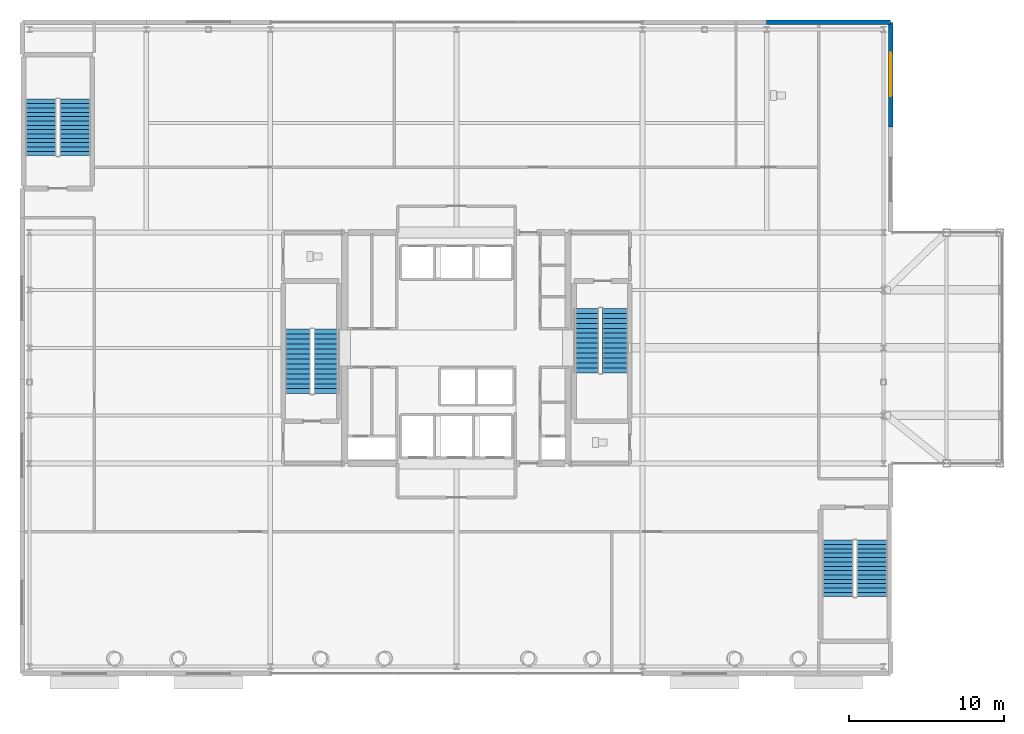
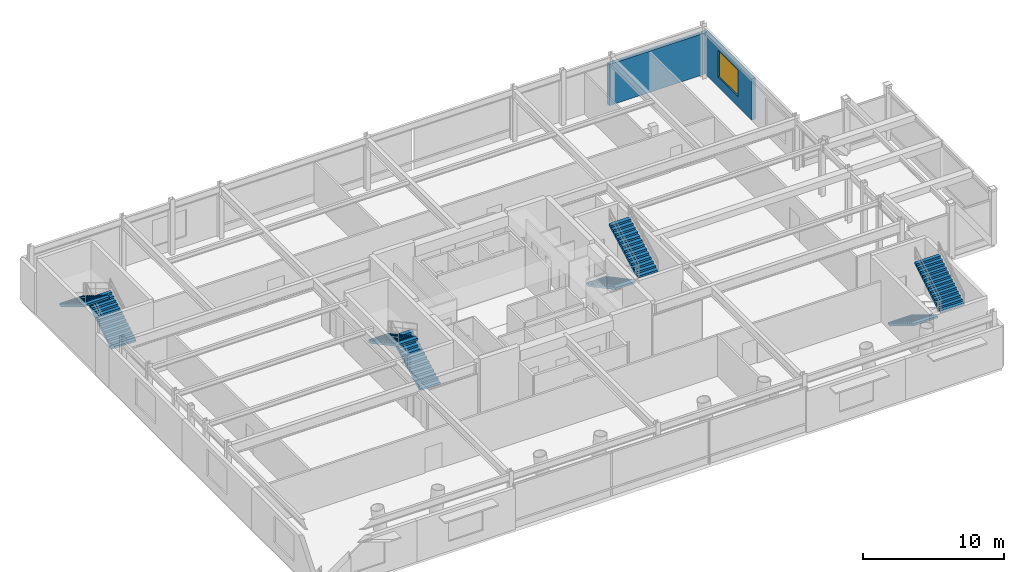
# One storey, part 22 of 26: 8 stair flights, 2 walls, 1 window, 1 opening, 4 elements without a shape of their own.
"""IFC4 building model written with IfcOpenShell, lengths in metres."""

from ifc_helpers import new_model, si_unit, direction, frame, frame_2d, origin, place, context, subcontext, project, spatial, polyline, rectangle, outline, extrude, material, layer, layer_set, type_object, element, fill, aggregate, save


model = new_model("IFC4")

# Units and contexts
model_context = context("Model", 3, precision=1e-05, world=origin(), true_north=direction((0.0, 1.0)))
body_context = subcontext(model_context, "Body", "Model", "MODEL_VIEW")
ifc_project = project(units=[si_unit("LENGTHUNIT", "METRE"), si_unit("AREAUNIT", "SQUARE_METRE"), si_unit("VOLUMEUNIT", "CUBIC_METRE"), si_unit("PLANEANGLEUNIT", "RADIAN"), si_unit("MASSUNIT", "GRAM", prefix="KILO")], contexts=[model_context])

# Site, building, storey
site_placement = place(None, origin())
site = spatial("IfcSite", under=ifc_project, at=site_placement, CompositionType="ELEMENT")
building_placement = place(site_placement, origin())
building = spatial("IfcBuilding", under=site, at=building_placement, Name="Veldorina Hangang Commons", CompositionType="ELEMENT")
storey_placement = place(building_placement, frame((0.0, 0.0, 10.0)))
storey = spatial("IfcBuildingStorey", under=building, at=storey_placement, Name="L02", CompositionType="ELEMENT", Elevation=10.0)

# Wall
ifc_material_1 = material(Name="Stone Roman Travertine", Category="masonry")
ifc_layer = layer(ifc_material_1, 0.300048828125)
ifc_layer_set = layer_set([ifc_layer], Name="Stone Roman Travertine")
wall_type = type_object("IfcWallType", Name="EW-TRAV-300", PredefinedType="STANDARD", material=ifc_layer_set)
wall_1_placement = place(storey_placement, frame((60.0, 45.0, 0.0), z_axis=(0.0, 0.0, 1.0), x_axis=(-1.0, 0.0, 0.0)))
element("IfcWall", 1, at=wall_1_placement, inside=storey, type_object=wall_type, Name="L02 north podium stone wall N7", PredefinedType="STANDARD", context=body_context, shape_type="SweptSolid", body=[
    extrude(rectangle(XDim=8.0, YDim=0.300048828125, at=frame_2d((4.0, 0.0))), origin(), (0.0, 0.0, 1.0), 3.570068359375),
])

# Wall, opening, window
wall_2_placement = place(storey_placement, frame((60.0, 38.25, 0.0), z_axis=(0.0, 0.0, 1.0), x_axis=(0.0, 1.0, 0.0)))
wall_2 = element("IfcWall", 2, at=wall_2_placement, inside=storey, type_object=wall_type, Name="L02 east podium stone wall EN2", PredefinedType="STANDARD", context=body_context, shape_type="SweptSolid", body=[
    extrude(rectangle(XDim=6.75, YDim=0.300048828125, at=frame_2d((3.375, 0.0))), origin(), (0.0, 0.0, 1.0), 3.570068359375),
])
opening_placement = place(wall_2_placement, frame((1.97509765625, 0.0, 0.85009765625)))
opening = element("IfcOpeningElement", 3, at=opening_placement, cuts=wall_2, Name="Opening W-06", PredefinedType="OPENING", context=body_context, shape_type="SweptSolid", body=[
    extrude(rectangle(XDim=2.800048828125, YDim=2.300048828125, at=frame_2d((1.39990234375, 1.14990234375))), frame((0.0, 0.16015625, 0.0), z_axis=(0.0, -1.0, 0.0), x_axis=(1.0, 0.0, 0.0)), (0.0, 0.0, 1.0), 0.320068359375),
])
ifc_material_2 = material(Name="Glass Acoustic Laminated", Category="glass")
window_type = type_object("IfcWindowType", Name="WIN-POD-2800", PartitioningType="SINGLE_PANEL", PredefinedType="WINDOW", material=ifc_material_2)
window_placement = place(opening_placement, origin())
window = element("IfcWindow", 4, at=window_placement, inside=storey, type_object=window_type, Name="L02 east podium window EN2", OverallHeight=2.300048828125, OverallWidth=2.800048828125, PartitioningType="SINGLE_PANEL", PredefinedType="WINDOW", context=body_context, shape_type="SweptSolid", body=[
    extrude(rectangle(XDim=2.800048828125, YDim=2.300048828125, at=frame_2d((1.39990234375, 1.14990234375))), frame((0.0, 0.030029296875, 0.0), z_axis=(0.0, -1.0, 0.0), x_axis=(1.0, 0.0, 0.0)), (0.0, 0.0, 1.0), 0.06005859375),
])
fill(opening, window)

# Stair, stair flights
ifc_material_3 = material(Name="Concrete C40/50", Category="concrete")
stair_type_1 = type_object("IfcStairType", Name="STR-DOG-1650-28R", PredefinedType="HALF_TURN_STAIR", material=ifc_material_3)
stair_1_placement = place(storey_placement, origin())
stair_1 = element("IfcStair", 5, at=stair_1_placement, inside=storey, type_object=stair_type_1, Name="L02 Exit stair ST-1", PredefinedType="HALF_TURN_STAIR")
stair_flight_type_1 = type_object("IfcStairFlightType", Name="SFL-STR-1650-28R", PredefinedType="STRAIGHT", material=ifc_material_3)
stair_flight_1_placement = place(storey_placement, frame((23.625, 21.050048828125, 0.0), z_axis=(0.0, 0.0, 1.0), x_axis=(0.0, 1.0, 0.0)))
stair_flight_1 = element("IfcStairFlight", 6, at=stair_flight_1_placement, type_object=stair_flight_type_1, Name="ST-1 flight 1", NumberOfRisers=14, NumberOfTreads=13, PredefinedType="STRAIGHT", RiserHeight=0.171428571, TreadLength=0.32, context=body_context, shape_type="SweptSolid", body=[
    extrude(outline(polyline([(0.0, 0.0), (0.0, 0.17138671875), (0.320068359375, 0.17138671875), (0.320068359375, 0.3427734375), (0.639892578125, 0.3427734375), (0.639892578125, 0.514404296875), (0.9599609375, 0.514404296875), (0.9599609375, 0.685791015625), (1.280029296875, 0.685791015625), (1.280029296875, 0.857177734375), (1.60009765625, 0.857177734375), (1.60009765625, 1.028564453125), (1.919921875, 1.028564453125), (1.919921875, 1.199951171875), (2.239990234375, 1.199951171875), (2.239990234375, 1.371337890625), (2.56005859375, 1.371337890625), (2.56005859375, 1.54296875), (2.8798828125, 1.54296875), (2.8798828125, 1.71435546875), (3.199951171875, 1.71435546875), (3.199951171875, 1.8857421875), (3.52001953125, 1.8857421875), (3.52001953125, 2.05712890625), (3.840087890625, 2.05712890625), (3.840087890625, 2.228515625), (4.159912109375, 2.228515625), (4.159912109375, 2.39990234375), (4.159912109375, 2.05859375), (0.3173828125, 0.0), (0.0, 0.0)])), frame((0.0, 0.824951171875, 0.0), z_axis=(0.0, -1.0, 0.0), x_axis=(1.0, 0.0, 0.0)), (0.0, 0.0, 1.0), 1.64990234375),
])
stair_flight_2_placement = place(storey_placement, frame((21.77490234375, 25.2099609375, 2.39990234375), z_axis=(0.0, 0.0, 1.0), x_axis=(0.0, -1.0, 0.0)))
stair_flight_2 = element("IfcStairFlight", 7, at=stair_flight_2_placement, type_object=stair_flight_type_1, Name="ST-1 flight 2", NumberOfRisers=14, NumberOfTreads=13, PredefinedType="STRAIGHT", RiserHeight=0.171428571, TreadLength=0.32, context=body_context, shape_type="SweptSolid", body=[
    extrude(outline(polyline([(0.0, 0.0), (0.0, 0.17138671875), (0.320068359375, 0.17138671875), (0.320068359375, 0.3427734375), (0.639892578125, 0.3427734375), (0.639892578125, 0.514404296875), (0.9599609375, 0.514404296875), (0.9599609375, 0.685791015625), (1.280029296875, 0.685791015625), (1.280029296875, 0.857177734375), (1.60009765625, 0.857177734375), (1.60009765625, 1.028564453125), (1.919921875, 1.028564453125), (1.919921875, 1.199951171875), (2.239990234375, 1.199951171875), (2.239990234375, 1.371337890625), (2.56005859375, 1.371337890625), (2.56005859375, 1.54296875), (2.8798828125, 1.54296875), (2.8798828125, 1.71435546875), (3.199951171875, 1.71435546875), (3.199951171875, 1.8857421875), (3.52001953125, 1.8857421875), (3.52001953125, 2.05712890625), (3.840087890625, 2.05712890625), (3.840087890625, 2.228515625), (4.159912109375, 2.228515625), (4.159912109375, 2.39990234375), (4.159912109375, 2.05859375), (0.3173828125, 0.0), (0.0, 0.0)])), frame((0.0, 0.824951171875, 0.0), z_axis=(0.0, -1.0, 0.0), x_axis=(1.0, 0.0, 0.0)), (0.0, 0.0, 1.0), 1.64990234375),
])
aggregate(stair_1, [stair_flight_1, stair_flight_2])

stair_2_placement = place(storey_placement, origin())
stair_2 = element("IfcStair", 8, at=stair_2_placement, inside=storey, type_object=stair_type_1, Name="L02 Exit stair ST-2", PredefinedType="HALF_TURN_STAIR")
stair_flight_3_placement = place(storey_placement, frame((40.375, 26.550048828125, 0.0), z_axis=(0.0, 0.0, 1.0), x_axis=(0.0, -1.0, 0.0)))
stair_flight_3 = element("IfcStairFlight", 9, at=stair_flight_3_placement, type_object=stair_flight_type_1, Name="ST-2 flight 1", NumberOfRisers=14, NumberOfTreads=13, PredefinedType="STRAIGHT", RiserHeight=0.171428571, TreadLength=0.32, context=body_context, shape_type="SweptSolid", body=[
    extrude(outline(polyline([(0.0, 0.0), (0.0, 0.17138671875), (0.320068359375, 0.17138671875), (0.320068359375, 0.3427734375), (0.639892578125, 0.3427734375), (0.639892578125, 0.514404296875), (0.9599609375, 0.514404296875), (0.9599609375, 0.685791015625), (1.280029296875, 0.685791015625), (1.280029296875, 0.857177734375), (1.60009765625, 0.857177734375), (1.60009765625, 1.028564453125), (1.919921875, 1.028564453125), (1.919921875, 1.199951171875), (2.239990234375, 1.199951171875), (2.239990234375, 1.371337890625), (2.56005859375, 1.371337890625), (2.56005859375, 1.54296875), (2.8798828125, 1.54296875), (2.8798828125, 1.71435546875), (3.199951171875, 1.71435546875), (3.199951171875, 1.8857421875), (3.52001953125, 1.8857421875), (3.52001953125, 2.05712890625), (3.840087890625, 2.05712890625), (3.840087890625, 2.228515625), (4.159912109375, 2.228515625), (4.159912109375, 2.39990234375), (4.159912109375, 2.05859375), (0.3173828125, 0.0), (0.0, 0.0)])), frame((0.0, 0.824951171875, 0.0), z_axis=(0.0, -1.0, 0.0), x_axis=(1.0, 0.0, 0.0)), (0.0, 0.0, 1.0), 1.64990234375),
])
stair_flight_4_placement = place(storey_placement, frame((42.22509765625, 22.389892578125, 2.39990234375), z_axis=(0.0, 0.0, 1.0), x_axis=(0.0, 1.0, 0.0)))
stair_flight_4 = element("IfcStairFlight", 10, at=stair_flight_4_placement, type_object=stair_flight_type_1, Name="ST-2 flight 2", NumberOfRisers=14, NumberOfTreads=13, PredefinedType="STRAIGHT", RiserHeight=0.171428571, TreadLength=0.32, context=body_context, shape_type="SweptSolid", body=[
    extrude(outline(polyline([(0.0, 0.0), (0.0, 0.17138671875), (0.320068359375, 0.17138671875), (0.320068359375, 0.3427734375), (0.639892578125, 0.3427734375), (0.639892578125, 0.514404296875), (0.9599609375, 0.514404296875), (0.9599609375, 0.685791015625), (1.280029296875, 0.685791015625), (1.280029296875, 0.857177734375), (1.60009765625, 0.857177734375), (1.60009765625, 1.028564453125), (1.919921875, 1.028564453125), (1.919921875, 1.199951171875), (2.239990234375, 1.199951171875), (2.239990234375, 1.371337890625), (2.56005859375, 1.371337890625), (2.56005859375, 1.54296875), (2.8798828125, 1.54296875), (2.8798828125, 1.71435546875), (3.199951171875, 1.71435546875), (3.199951171875, 1.8857421875), (3.52001953125, 1.8857421875), (3.52001953125, 2.05712890625), (3.840087890625, 2.05712890625), (3.840087890625, 2.228515625), (4.159912109375, 2.228515625), (4.159912109375, 2.39990234375), (4.159912109375, 2.05859375), (0.3173828125, 0.0), (0.0, 0.0)])), frame((0.0, 0.824951171875, 0.0), z_axis=(0.0, -1.0, 0.0), x_axis=(1.0, 0.0, 0.0)), (0.0, 0.0, 1.0), 1.64990234375),
])
aggregate(stair_2, [stair_flight_3, stair_flight_4])

stair_type_2 = type_object("IfcStairType", Name="STR-DOG-2000-28R", PredefinedType="HALF_TURN_STAIR", material=ifc_material_3)
stair_3_placement = place(storey_placement, origin())
stair_3 = element("IfcStair", 11, at=stair_3_placement, inside=storey, type_object=stair_type_2, Name="L02 Exit stair ST-P1", PredefinedType="HALF_TURN_STAIR")
stair_flight_type_2 = type_object("IfcStairFlightType", Name="SFL-STR-2000-28R", PredefinedType="STRAIGHT", material=ifc_material_3)
stair_flight_5_placement = place(storey_placement, frame((7.39990234375, 36.39990234375, 0.0), z_axis=(0.0, 0.0, 1.0), x_axis=(0.0, 1.0, 0.0)))
stair_flight_5 = element("IfcStairFlight", 12, at=stair_flight_5_placement, type_object=stair_flight_type_2, Name="ST-P1 flight 1", NumberOfRisers=14, NumberOfTreads=13, PredefinedType="STRAIGHT", RiserHeight=0.171428571, TreadLength=0.28, context=body_context, shape_type="SweptSolid", body=[
    extrude(outline(polyline([(0.0, 0.0), (0.0, 0.17138671875), (0.280029296875, 0.17138671875), (0.280029296875, 0.3427734375), (0.56005859375, 0.3427734375), (0.56005859375, 0.514404296875), (0.840087890625, 0.514404296875), (0.840087890625, 0.685791015625), (1.1201171875, 0.685791015625), (1.1201171875, 0.857177734375), (1.39990234375, 0.857177734375), (1.39990234375, 1.028564453125), (1.679931640625, 1.028564453125), (1.679931640625, 1.199951171875), (1.9599609375, 1.199951171875), (1.9599609375, 1.371337890625), (2.239990234375, 1.371337890625), (2.239990234375, 1.54296875), (2.52001953125, 1.54296875), (2.52001953125, 1.71435546875), (2.800048828125, 1.71435546875), (2.800048828125, 1.8857421875), (3.080078125, 1.8857421875), (3.080078125, 2.05712890625), (3.360107421875, 2.05712890625), (3.360107421875, 2.228515625), (3.639892578125, 2.228515625), (3.639892578125, 2.39990234375), (3.639892578125, 2.052734375), (0.287109375, 0.0), (0.0, 0.0)])), frame((0.0, 1.0, 0.0), z_axis=(0.0, -1.0, 0.0), x_axis=(1.0, 0.0, 0.0)), (0.0, 0.0, 1.0), 2.0),
])
stair_flight_6_placement = place(storey_placement, frame((5.199951171875, 40.0400390625, 2.39990234375), z_axis=(0.0, 0.0, 1.0), x_axis=(0.0, -1.0, 0.0)))
stair_flight_6 = element("IfcStairFlight", 13, at=stair_flight_6_placement, type_object=stair_flight_type_2, Name="ST-P1 flight 2", NumberOfRisers=14, NumberOfTreads=13, PredefinedType="STRAIGHT", RiserHeight=0.171428571, TreadLength=0.28, context=body_context, shape_type="SweptSolid", body=[
    extrude(outline(polyline([(0.0, 0.0), (0.0, 0.17138671875), (0.280029296875, 0.17138671875), (0.280029296875, 0.3427734375), (0.56005859375, 0.3427734375), (0.56005859375, 0.514404296875), (0.840087890625, 0.514404296875), (0.840087890625, 0.685791015625), (1.1201171875, 0.685791015625), (1.1201171875, 0.857177734375), (1.39990234375, 0.857177734375), (1.39990234375, 1.028564453125), (1.679931640625, 1.028564453125), (1.679931640625, 1.199951171875), (1.9599609375, 1.199951171875), (1.9599609375, 1.371337890625), (2.239990234375, 1.371337890625), (2.239990234375, 1.54296875), (2.52001953125, 1.54296875), (2.52001953125, 1.71435546875), (2.800048828125, 1.71435546875), (2.800048828125, 1.8857421875), (3.080078125, 1.8857421875), (3.080078125, 2.05712890625), (3.360107421875, 2.05712890625), (3.360107421875, 2.228515625), (3.639892578125, 2.228515625), (3.639892578125, 2.39990234375), (3.639892578125, 2.052734375), (0.287109375, 0.0), (0.0, 0.0)])), frame((0.0, 1.0, 0.0), z_axis=(0.0, -1.0, 0.0), x_axis=(1.0, 0.0, 0.0)), (0.0, 0.0, 1.0), 2.0),
])
aggregate(stair_3, [stair_flight_5, stair_flight_6])

stair_4_placement = place(storey_placement, origin())
stair_4 = element("IfcStair", 14, at=stair_4_placement, inside=storey, type_object=stair_type_2, Name="L02 Exit stair ST-P2", PredefinedType="HALF_TURN_STAIR")
stair_flight_7_placement = place(storey_placement, frame((56.60009765625, 11.60009765625, 0.0), z_axis=(0.0, 0.0, 1.0), x_axis=(0.0, -1.0, 0.0)))
stair_flight_7 = element("IfcStairFlight", 15, at=stair_flight_7_placement, type_object=stair_flight_type_2, Name="ST-P2 flight 1", NumberOfRisers=14, NumberOfTreads=13, PredefinedType="STRAIGHT", RiserHeight=0.171428571, TreadLength=0.28, context=body_context, shape_type="SweptSolid", body=[
    extrude(outline(polyline([(0.0, 0.0), (0.0, 0.17138671875), (0.280029296875, 0.17138671875), (0.280029296875, 0.3427734375), (0.56005859375, 0.3427734375), (0.56005859375, 0.514404296875), (0.840087890625, 0.514404296875), (0.840087890625, 0.685791015625), (1.1201171875, 0.685791015625), (1.1201171875, 0.857177734375), (1.39990234375, 0.857177734375), (1.39990234375, 1.028564453125), (1.679931640625, 1.028564453125), (1.679931640625, 1.199951171875), (1.9599609375, 1.199951171875), (1.9599609375, 1.371337890625), (2.239990234375, 1.371337890625), (2.239990234375, 1.54296875), (2.52001953125, 1.54296875), (2.52001953125, 1.71435546875), (2.800048828125, 1.71435546875), (2.800048828125, 1.8857421875), (3.080078125, 1.8857421875), (3.080078125, 2.05712890625), (3.360107421875, 2.05712890625), (3.360107421875, 2.228515625), (3.639892578125, 2.228515625), (3.639892578125, 2.39990234375), (3.639892578125, 2.052734375), (0.287109375, 0.0), (0.0, 0.0)])), frame((0.0, 1.0, 0.0), z_axis=(0.0, -1.0, 0.0), x_axis=(1.0, 0.0, 0.0)), (0.0, 0.0, 1.0), 2.0),
])
stair_flight_8_placement = place(storey_placement, frame((58.800048828125, 7.9599609375, 2.39990234375), z_axis=(0.0, 0.0, 1.0), x_axis=(0.0, 1.0, 0.0)))
stair_flight_8 = element("IfcStairFlight", 16, at=stair_flight_8_placement, type_object=stair_flight_type_2, Name="ST-P2 flight 2", NumberOfRisers=14, NumberOfTreads=13, PredefinedType="STRAIGHT", RiserHeight=0.171428571, TreadLength=0.28, context=body_context, shape_type="SweptSolid", body=[
    extrude(outline(polyline([(0.0, 0.0), (0.0, 0.17138671875), (0.280029296875, 0.17138671875), (0.280029296875, 0.3427734375), (0.56005859375, 0.3427734375), (0.56005859375, 0.514404296875), (0.840087890625, 0.514404296875), (0.840087890625, 0.685791015625), (1.1201171875, 0.685791015625), (1.1201171875, 0.857177734375), (1.39990234375, 0.857177734375), (1.39990234375, 1.028564453125), (1.679931640625, 1.028564453125), (1.679931640625, 1.199951171875), (1.9599609375, 1.199951171875), (1.9599609375, 1.371337890625), (2.239990234375, 1.371337890625), (2.239990234375, 1.54296875), (2.52001953125, 1.54296875), (2.52001953125, 1.71435546875), (2.800048828125, 1.71435546875), (2.800048828125, 1.8857421875), (3.080078125, 1.8857421875), (3.080078125, 2.05712890625), (3.360107421875, 2.05712890625), (3.360107421875, 2.228515625), (3.639892578125, 2.228515625), (3.639892578125, 2.39990234375), (3.639892578125, 2.052734375), (0.287109375, 0.0), (0.0, 0.0)])), frame((0.0, 1.0, 0.0), z_axis=(0.0, -1.0, 0.0), x_axis=(1.0, 0.0, 0.0)), (0.0, 0.0, 1.0), 2.0),
])
aggregate(stair_4, [stair_flight_7, stair_flight_8])

save(model, "model.ifc")
